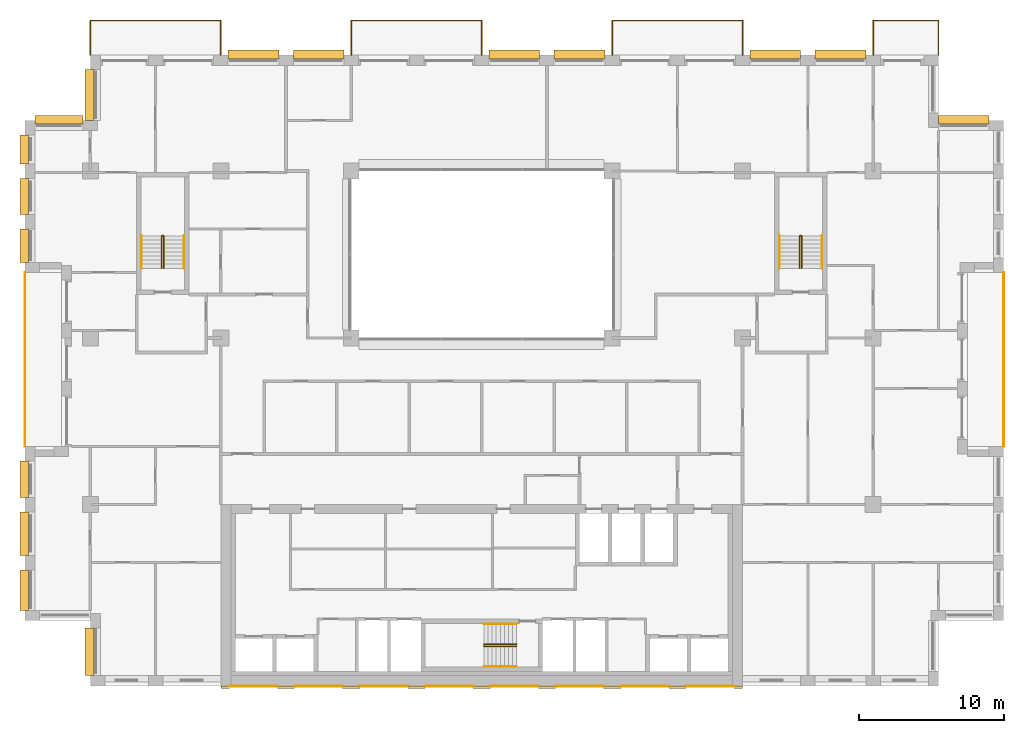
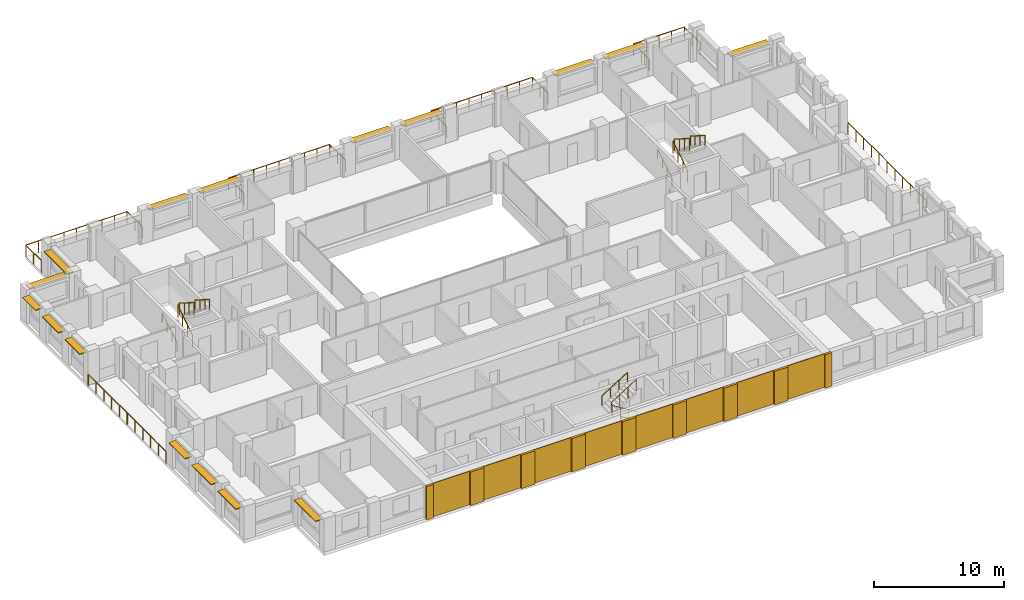
# One storey, part 16 of 16: 17 coverings, 16 shading devices, 15 railings.
"""IFC4 building model written with IfcOpenShell, lengths in metres."""

from ifc_helpers import new_model, si_unit, direction, frame, origin, origin_2d, place, context, subcontext, project, spatial, rectangle, circle, extrude, material, layer, layer_set, type_object, element, save


model = new_model("IFC4")

# Units and contexts
model_context = context("Model", 3, precision=1e-05, world=origin(), true_north=direction((0.0, 1.0)))
body_context = subcontext(model_context, "Body", "Model", "MODEL_VIEW")
ifc_project = project(units=[si_unit("LENGTHUNIT", "METRE"), si_unit("AREAUNIT", "SQUARE_METRE"), si_unit("VOLUMEUNIT", "CUBIC_METRE"), si_unit("PLANEANGLEUNIT", "RADIAN"), si_unit("MASSUNIT", "GRAM", prefix="KILO")], contexts=[model_context])

# Site, building, storey
site_placement = place(None, origin())
site = spatial("IfcSite", under=ifc_project, at=site_placement, CompositionType="ELEMENT")
building_placement = place(site_placement, origin())
building = spatial("IfcBuilding", under=site, at=building_placement, Name="Brigalow Station Residences", CompositionType="ELEMENT")
storey_placement = place(building_placement, frame((0.0, 0.0, 179.10009765625)))
storey = spatial("IfcBuildingStorey", under=building, at=storey_placement, Name="L52", CompositionType="ELEMENT", Elevation=179.10009765625)

# Railings
ifc_material_1 = material(Name="Stainless steel balustrade with laminated glass infill", Category="steel")
railing_type_1 = type_object("IfcRailingType", Name="BALCONY GUARD 1100", PredefinedType="GUARDRAIL", material=ifc_material_1)
railing_1_placement = place(storey_placement, frame((72.0, 16.5, -0.0400390625)))
element("IfcRailing", 1, at=railing_1_placement, inside=storey, type_object=railing_type_1, Name="L52/balcony-guard/1", PredefinedType="GUARDRAIL", context=body_context, shape_type="SweptSolid", body=[
    extrude(circle(Radius=0.02392578125, at=origin_2d()), frame((0.0, 0.0, 1.076171875), z_axis=(0.0, 1.0, 0.0), x_axis=(-1.0, 0.0, 0.0)), (0.0, 0.0, 1.0), 12.0),
    extrude(circle(Radius=0.02099609375, at=origin_2d()), origin(), (0.0, 0.0, 1.0), 1.052001953125),
    extrude(circle(Radius=0.02099609375, at=origin_2d()), frame((0.0, 1.199951171875, 0.0)), (0.0, 0.0, 1.0), 1.052001953125),
    extrude(circle(Radius=0.02099609375, at=origin_2d()), frame((0.0, 2.39990234375, 0.0)), (0.0, 0.0, 1.0), 1.052001953125),
    extrude(circle(Radius=0.02099609375, at=origin_2d()), frame((0.0, 3.60009765625, 0.0)), (0.0, 0.0, 1.0), 1.052001953125),
    extrude(circle(Radius=0.02099609375, at=origin_2d()), frame((0.0, 4.800048828125, 0.0)), (0.0, 0.0, 1.0), 1.052001953125),
    extrude(circle(Radius=0.02099609375, at=origin_2d()), frame((0.0, 6.0, 0.0)), (0.0, 0.0, 1.0), 1.052001953125),
    extrude(circle(Radius=0.02099609375, at=origin_2d()), frame((0.0, 7.199951171875, 0.0)), (0.0, 0.0, 1.0), 1.052001953125),
    extrude(circle(Radius=0.02099609375, at=origin_2d()), frame((0.0, 8.39990234375, 0.0)), (0.0, 0.0, 1.0), 1.052001953125),
    extrude(circle(Radius=0.02099609375, at=origin_2d()), frame((0.0, 9.60009765625, 0.0)), (0.0, 0.0, 1.0), 1.052001953125),
    extrude(circle(Radius=0.02099609375, at=origin_2d()), frame((0.0, 10.800048828125, 0.0)), (0.0, 0.0, 1.0), 1.052001953125),
    extrude(circle(Radius=0.02099609375, at=origin_2d()), frame((0.0, 12.0, 0.0)), (0.0, 0.0, 1.0), 1.052001953125),
])
railing_2_placement = place(storey_placement, frame((67.5, 43.5, -0.0400390625)))
element("IfcRailing", 2, at=railing_2_placement, inside=storey, type_object=railing_type_1, Name="L52/balcony-guard/2", PredefinedType="GUARDRAIL", context=body_context, shape_type="SweptSolid", body=[
    extrude(circle(Radius=0.02392578125, at=origin_2d()), frame((0.0, 0.0, 1.076171875), z_axis=(0.0, 1.0, 0.0), x_axis=(-1.0, 0.0, 0.0)), (0.0, 0.0, 1.0), 2.39990234375),
    extrude(circle(Radius=0.02392578125, at=origin_2d()), frame((0.0, 2.39990234375, 1.076171875), z_axis=(-1.0, 0.0, 0.0), x_axis=(0.0, -1.0, 0.0)), (0.0, 0.0, 1.0), 4.5),
    extrude(circle(Radius=0.02392578125, at=origin_2d()), frame((-4.5, 2.39990234375, 1.076171875), z_axis=(0.0, -1.0, 0.0), x_axis=(1.0, 0.0, 0.0)), (0.0, 0.0, 1.0), 2.39990234375),
    extrude(circle(Radius=0.02099609375, at=origin_2d()), origin(), (0.0, 0.0, 1.0), 1.052001953125),
    extrude(circle(Radius=0.02099609375, at=origin_2d()), frame((0.0, 1.199951171875, 0.0)), (0.0, 0.0, 1.0), 1.052001953125),
    extrude(circle(Radius=0.02099609375, at=origin_2d()), frame((0.0, 2.39990234375, 0.0)), (0.0, 0.0, 1.0), 1.052001953125),
    extrude(circle(Radius=0.02099609375, at=origin_2d()), frame((-1.125, 2.39990234375, 0.0)), (0.0, 0.0, 1.0), 1.052001953125),
    extrude(circle(Radius=0.02099609375, at=origin_2d()), frame((-2.25, 2.39990234375, 0.0)), (0.0, 0.0, 1.0), 1.052001953125),
    extrude(circle(Radius=0.02099609375, at=origin_2d()), frame((-3.375, 2.39990234375, 0.0)), (0.0, 0.0, 1.0), 1.052001953125),
    extrude(circle(Radius=0.02099609375, at=origin_2d()), frame((-4.5, 2.39990234375, 0.0)), (0.0, 0.0, 1.0), 1.052001953125),
    extrude(circle(Radius=0.02099609375, at=origin_2d()), frame((-4.5, 1.199951171875, 0.0)), (0.0, 0.0, 1.0), 1.052001953125),
    extrude(circle(Radius=0.02099609375, at=origin_2d()), frame((-4.5, 0.0, 0.0)), (0.0, 0.0, 1.0), 1.052001953125),
])
railing_3_placement = place(storey_placement, frame((54.0, 43.5, -0.0400390625)))
element("IfcRailing", 3, at=railing_3_placement, inside=storey, type_object=railing_type_1, Name="L52/balcony-guard/3", PredefinedType="GUARDRAIL", context=body_context, shape_type="SweptSolid", body=[
    extrude(circle(Radius=0.02392578125, at=origin_2d()), frame((0.0, 0.0, 1.076171875), z_axis=(0.0, 1.0, 0.0), x_axis=(-1.0, 0.0, 0.0)), (0.0, 0.0, 1.0), 2.39990234375),
    extrude(circle(Radius=0.02392578125, at=origin_2d()), frame((0.0, 2.39990234375, 1.076171875), z_axis=(-1.0, 0.0, 0.0), x_axis=(0.0, -1.0, 0.0)), (0.0, 0.0, 1.0), 9.0),
    extrude(circle(Radius=0.02392578125, at=origin_2d()), frame((-9.0, 2.39990234375, 1.076171875), z_axis=(0.0, -1.0, 0.0), x_axis=(1.0, 0.0, 0.0)), (0.0, 0.0, 1.0), 2.39990234375),
    extrude(circle(Radius=0.02099609375, at=origin_2d()), origin(), (0.0, 0.0, 1.0), 1.052001953125),
    extrude(circle(Radius=0.02099609375, at=origin_2d()), frame((0.0, 1.199951171875, 0.0)), (0.0, 0.0, 1.0), 1.052001953125),
    extrude(circle(Radius=0.02099609375, at=origin_2d()), frame((0.0, 2.39990234375, 0.0)), (0.0, 0.0, 1.0), 1.052001953125),
    extrude(circle(Radius=0.02099609375, at=origin_2d()), frame((-1.125, 2.39990234375, 0.0)), (0.0, 0.0, 1.0), 1.052001953125),
    extrude(circle(Radius=0.02099609375, at=origin_2d()), frame((-2.25, 2.39990234375, 0.0)), (0.0, 0.0, 1.0), 1.052001953125),
    extrude(circle(Radius=0.02099609375, at=origin_2d()), frame((-3.375, 2.39990234375, 0.0)), (0.0, 0.0, 1.0), 1.052001953125),
    extrude(circle(Radius=0.02099609375, at=origin_2d()), frame((-4.5, 2.39990234375, 0.0)), (0.0, 0.0, 1.0), 1.052001953125),
    extrude(circle(Radius=0.02099609375, at=origin_2d()), frame((-5.625, 2.39990234375, 0.0)), (0.0, 0.0, 1.0), 1.052001953125),
    extrude(circle(Radius=0.02099609375, at=origin_2d()), frame((-6.75, 2.39990234375, 0.0)), (0.0, 0.0, 1.0), 1.052001953125),
    extrude(circle(Radius=0.02099609375, at=origin_2d()), frame((-7.875, 2.39990234375, 0.0)), (0.0, 0.0, 1.0), 1.052001953125),
    extrude(circle(Radius=0.02099609375, at=origin_2d()), frame((-9.0, 2.39990234375, 0.0)), (0.0, 0.0, 1.0), 1.052001953125),
    extrude(circle(Radius=0.02099609375, at=origin_2d()), frame((-9.0, 1.199951171875, 0.0)), (0.0, 0.0, 1.0), 1.052001953125),
    extrude(circle(Radius=0.02099609375, at=origin_2d()), frame((-9.0, 0.0, 0.0)), (0.0, 0.0, 1.0), 1.052001953125),
])
railing_4_placement = place(storey_placement, frame((36.0, 43.5, -0.0400390625)))
element("IfcRailing", 4, at=railing_4_placement, inside=storey, type_object=railing_type_1, Name="L52/balcony-guard/4", PredefinedType="GUARDRAIL", context=body_context, shape_type="SweptSolid", body=[
    extrude(circle(Radius=0.02392578125, at=origin_2d()), frame((0.0, 0.0, 1.076171875), z_axis=(0.0, 1.0, 0.0), x_axis=(-1.0, 0.0, 0.0)), (0.0, 0.0, 1.0), 2.39990234375),
    extrude(circle(Radius=0.02392578125, at=origin_2d()), frame((0.0, 2.39990234375, 1.076171875), z_axis=(-1.0, 0.0, 0.0), x_axis=(0.0, -1.0, 0.0)), (0.0, 0.0, 1.0), 9.0),
    extrude(circle(Radius=0.02392578125, at=origin_2d()), frame((-9.0, 2.39990234375, 1.076171875), z_axis=(0.0, -1.0, 0.0), x_axis=(1.0, 0.0, 0.0)), (0.0, 0.0, 1.0), 2.39990234375),
    extrude(circle(Radius=0.02099609375, at=origin_2d()), origin(), (0.0, 0.0, 1.0), 1.052001953125),
    extrude(circle(Radius=0.02099609375, at=origin_2d()), frame((0.0, 1.199951171875, 0.0)), (0.0, 0.0, 1.0), 1.052001953125),
    extrude(circle(Radius=0.02099609375, at=origin_2d()), frame((0.0, 2.39990234375, 0.0)), (0.0, 0.0, 1.0), 1.052001953125),
    extrude(circle(Radius=0.02099609375, at=origin_2d()), frame((-1.125, 2.39990234375, 0.0)), (0.0, 0.0, 1.0), 1.052001953125),
    extrude(circle(Radius=0.02099609375, at=origin_2d()), frame((-2.25, 2.39990234375, 0.0)), (0.0, 0.0, 1.0), 1.052001953125),
    extrude(circle(Radius=0.02099609375, at=origin_2d()), frame((-3.375, 2.39990234375, 0.0)), (0.0, 0.0, 1.0), 1.052001953125),
    extrude(circle(Radius=0.02099609375, at=origin_2d()), frame((-4.5, 2.39990234375, 0.0)), (0.0, 0.0, 1.0), 1.052001953125),
    extrude(circle(Radius=0.02099609375, at=origin_2d()), frame((-5.625, 2.39990234375, 0.0)), (0.0, 0.0, 1.0), 1.052001953125),
    extrude(circle(Radius=0.02099609375, at=origin_2d()), frame((-6.75, 2.39990234375, 0.0)), (0.0, 0.0, 1.0), 1.052001953125),
    extrude(circle(Radius=0.02099609375, at=origin_2d()), frame((-7.875, 2.39990234375, 0.0)), (0.0, 0.0, 1.0), 1.052001953125),
    extrude(circle(Radius=0.02099609375, at=origin_2d()), frame((-9.0, 2.39990234375, 0.0)), (0.0, 0.0, 1.0), 1.052001953125),
    extrude(circle(Radius=0.02099609375, at=origin_2d()), frame((-9.0, 1.199951171875, 0.0)), (0.0, 0.0, 1.0), 1.052001953125),
    extrude(circle(Radius=0.02099609375, at=origin_2d()), frame((-9.0, 0.0, 0.0)), (0.0, 0.0, 1.0), 1.052001953125),
])
railing_5_placement = place(storey_placement, frame((18.0, 43.5, -0.0400390625)))
element("IfcRailing", 5, at=railing_5_placement, inside=storey, type_object=railing_type_1, Name="L52/balcony-guard/5", PredefinedType="GUARDRAIL", context=body_context, shape_type="SweptSolid", body=[
    extrude(circle(Radius=0.02392578125, at=origin_2d()), frame((0.0, 0.0, 1.076171875), z_axis=(0.0, 1.0, 0.0), x_axis=(-1.0, 0.0, 0.0)), (0.0, 0.0, 1.0), 2.39990234375),
    extrude(circle(Radius=0.02392578125, at=origin_2d()), frame((0.0, 2.39990234375, 1.076171875), z_axis=(-1.0, 0.0, 0.0), x_axis=(0.0, -1.0, 0.0)), (0.0, 0.0, 1.0), 9.0),
    extrude(circle(Radius=0.02392578125, at=origin_2d()), frame((-9.0, 2.39990234375, 1.076171875), z_axis=(0.0, -1.0, 0.0), x_axis=(1.0, 0.0, 0.0)), (0.0, 0.0, 1.0), 2.39990234375),
    extrude(circle(Radius=0.02099609375, at=origin_2d()), origin(), (0.0, 0.0, 1.0), 1.052001953125),
    extrude(circle(Radius=0.02099609375, at=origin_2d()), frame((0.0, 1.199951171875, 0.0)), (0.0, 0.0, 1.0), 1.052001953125),
    extrude(circle(Radius=0.02099609375, at=origin_2d()), frame((0.0, 2.39990234375, 0.0)), (0.0, 0.0, 1.0), 1.052001953125),
    extrude(circle(Radius=0.02099609375, at=origin_2d()), frame((-1.125, 2.39990234375, 0.0)), (0.0, 0.0, 1.0), 1.052001953125),
    extrude(circle(Radius=0.02099609375, at=origin_2d()), frame((-2.25, 2.39990234375, 0.0)), (0.0, 0.0, 1.0), 1.052001953125),
    extrude(circle(Radius=0.02099609375, at=origin_2d()), frame((-3.375, 2.39990234375, 0.0)), (0.0, 0.0, 1.0), 1.052001953125),
    extrude(circle(Radius=0.02099609375, at=origin_2d()), frame((-4.5, 2.39990234375, 0.0)), (0.0, 0.0, 1.0), 1.052001953125),
    extrude(circle(Radius=0.02099609375, at=origin_2d()), frame((-5.625, 2.39990234375, 0.0)), (0.0, 0.0, 1.0), 1.052001953125),
    extrude(circle(Radius=0.02099609375, at=origin_2d()), frame((-6.75, 2.39990234375, 0.0)), (0.0, 0.0, 1.0), 1.052001953125),
    extrude(circle(Radius=0.02099609375, at=origin_2d()), frame((-7.875, 2.39990234375, 0.0)), (0.0, 0.0, 1.0), 1.052001953125),
    extrude(circle(Radius=0.02099609375, at=origin_2d()), frame((-9.0, 2.39990234375, 0.0)), (0.0, 0.0, 1.0), 1.052001953125),
    extrude(circle(Radius=0.02099609375, at=origin_2d()), frame((-9.0, 1.199951171875, 0.0)), (0.0, 0.0, 1.0), 1.052001953125),
    extrude(circle(Radius=0.02099609375, at=origin_2d()), frame((-9.0, 0.0, 0.0)), (0.0, 0.0, 1.0), 1.052001953125),
])
railing_6_placement = place(storey_placement, frame((4.5, 28.5, -0.0400390625)))
element("IfcRailing", 6, at=railing_6_placement, inside=storey, type_object=railing_type_1, Name="L52/balcony-guard/6", PredefinedType="GUARDRAIL", context=body_context, shape_type="SweptSolid", body=[
    extrude(circle(Radius=0.02392578125, at=origin_2d()), frame((0.0, 0.0, 1.076171875), z_axis=(0.0, -1.0, 0.0), x_axis=(1.0, 0.0, 0.0)), (0.0, 0.0, 1.0), 12.0),
    extrude(circle(Radius=0.02099609375, at=origin_2d()), origin(), (0.0, 0.0, 1.0), 1.052001953125),
    extrude(circle(Radius=0.02099609375, at=origin_2d()), frame((0.0, -1.199951171875, 0.0)), (0.0, 0.0, 1.0), 1.052001953125),
    extrude(circle(Radius=0.02099609375, at=origin_2d()), frame((0.0, -2.39990234375, 0.0)), (0.0, 0.0, 1.0), 1.052001953125),
    extrude(circle(Radius=0.02099609375, at=origin_2d()), frame((0.0, -3.60009765625, 0.0)), (0.0, 0.0, 1.0), 1.052001953125),
    extrude(circle(Radius=0.02099609375, at=origin_2d()), frame((0.0, -4.800048828125, 0.0)), (0.0, 0.0, 1.0), 1.052001953125),
    extrude(circle(Radius=0.02099609375, at=origin_2d()), frame((0.0, -6.0, 0.0)), (0.0, 0.0, 1.0), 1.052001953125),
    extrude(circle(Radius=0.02099609375, at=origin_2d()), frame((0.0, -7.199951171875, 0.0)), (0.0, 0.0, 1.0), 1.052001953125),
    extrude(circle(Radius=0.02099609375, at=origin_2d()), frame((0.0, -8.39990234375, 0.0)), (0.0, 0.0, 1.0), 1.052001953125),
    extrude(circle(Radius=0.02099609375, at=origin_2d()), frame((0.0, -9.60009765625, 0.0)), (0.0, 0.0, 1.0), 1.052001953125),
    extrude(circle(Radius=0.02099609375, at=origin_2d()), frame((0.0, -10.800048828125, 0.0)), (0.0, 0.0, 1.0), 1.052001953125),
    extrude(circle(Radius=0.02099609375, at=origin_2d()), frame((0.0, -12.0, 0.0)), (0.0, 0.0, 1.0), 1.052001953125),
])

# Coverings
ifc_material_2 = material(Name="Clay brick masonry", Category="masonry")
ifc_layer_1 = layer(ifc_material_2, 0.06005859375)
ifc_layer_set_1 = layer_set([ifc_layer_1], Name="BRICK PANEL FACING 60")
covering_type_1 = type_object("IfcCoveringType", Name="BRICK PANEL FACING 60", PredefinedType="CLADDING", material=ifc_layer_set_1)
for number, where, z_axis, x_axis, name in (
    (7, (20.25, -0.030029296875, 0.0), (0.0, 0.0, 1.0), (1.0, 0.0, 0.0), "L52/rear-facing/panel-1"),
    (8, (24.75, -0.030029296875, 0.0), (0.0, 0.0, 1.0), (1.0, 0.0, 0.0), "L52/rear-facing/panel-2"),
    (9, (29.25, -0.030029296875, 0.0), (0.0, 0.0, 1.0), (1.0, 0.0, 0.0), "L52/rear-facing/panel-3"),
    (10, (33.75, -0.030029296875, 0.0), (0.0, 0.0, 1.0), (1.0, 0.0, 0.0), "L52/rear-facing/panel-4"),
    (11, (38.25, -0.030029296875, 0.0), (0.0, 0.0, 1.0), (1.0, 0.0, 0.0), "L52/rear-facing/panel-5"),
    (12, (42.75, -0.030029296875, 0.0), (0.0, 0.0, 1.0), (1.0, 0.0, 0.0), "L52/rear-facing/panel-6"),
    (13, (47.25, -0.030029296875, 0.0), (0.0, 0.0, 1.0), (1.0, 0.0, 0.0), "L52/rear-facing/panel-7"),
    (14, (51.75, -0.030029296875, 0.0), (0.0, 0.0, 1.0), (1.0, 0.0, 0.0), "L52/rear-facing/panel-8"),
):
    element("IfcCovering", number, at=place(storey_placement, frame(where, z_axis=z_axis, x_axis=x_axis)), inside=storey, type_object=covering_type_1, Name=name, PredefinedType="CLADDING", context=body_context, shape_type="SweptSolid", body=[
        extrude(rectangle(XDim=3.300048828125, YDim=0.06005859375, at=origin_2d()), origin(), (0.0, 0.0, 1.0), 3.14990234375),
    ])
ifc_material_3 = material(Name="Clay brick masonry", Category="masonry")
ifc_layer_2 = layer(ifc_material_3, 0.199951171875)
ifc_layer_set_2 = layer_set([ifc_layer_2], Name="BRICK PIER FACING 200")
covering_type_2 = type_object("IfcCoveringType", Name="BRICK PIER FACING 200", PredefinedType="CLADDING", material=ifc_layer_set_2)
covering_1_placement = place(storey_placement, frame((18.300048828125, -0.10009765625, 0.0), z_axis=(0.0, 0.0, 1.0), x_axis=(1.0, 0.0, 0.0)))
element("IfcCovering", 15, at=covering_1_placement, inside=storey, type_object=covering_type_2, Name="L52/rear-facing/pier-1", PredefinedType="CLADDING", context=body_context, shape_type="SweptSolid", body=[
    extrude(rectangle(XDim=0.60009765625, YDim=0.199951171875, at=origin_2d()), origin(), (0.0, 0.0, 1.0), 3.14990234375),
])
for number, where, z_axis, x_axis, name in (
    (16, (22.5, -0.10009765625, 0.0), (0.0, 0.0, 1.0), (1.0, 0.0, 0.0), "L52/rear-facing/pier-2"),
    (17, (27.0, -0.10009765625, 0.0), (0.0, 0.0, 1.0), (1.0, 0.0, 0.0), "L52/rear-facing/pier-3"),
    (18, (31.5, -0.10009765625, 0.0), (0.0, 0.0, 1.0), (1.0, 0.0, 0.0), "L52/rear-facing/pier-4"),
    (19, (36.0, -0.10009765625, 0.0), (0.0, 0.0, 1.0), (1.0, 0.0, 0.0), "L52/rear-facing/pier-5"),
    (20, (40.5, -0.10009765625, 0.0), (0.0, 0.0, 1.0), (1.0, 0.0, 0.0), "L52/rear-facing/pier-6"),
    (21, (45.0, -0.10009765625, 0.0), (0.0, 0.0, 1.0), (1.0, 0.0, 0.0), "L52/rear-facing/pier-7"),
    (22, (49.5, -0.10009765625, 0.0), (0.0, 0.0, 1.0), (1.0, 0.0, 0.0), "L52/rear-facing/pier-8"),
):
    element("IfcCovering", number, at=place(storey_placement, frame(where, z_axis=z_axis, x_axis=x_axis)), inside=storey, type_object=covering_type_2, Name=name, PredefinedType="CLADDING", context=body_context, shape_type="SweptSolid", body=[
        extrude(rectangle(XDim=1.199951171875, YDim=0.199951171875, at=origin_2d()), origin(), (0.0, 0.0, 1.0), 3.14990234375),
    ])
covering_2_placement = place(storey_placement, frame((53.699951171875, -0.10009765625, 0.0), z_axis=(0.0, 0.0, 1.0), x_axis=(1.0, 0.0, 0.0)))
element("IfcCovering", 23, at=covering_2_placement, inside=storey, type_object=covering_type_2, Name="L52/rear-facing/pier-9", PredefinedType="CLADDING", context=body_context, shape_type="SweptSolid", body=[
    extrude(rectangle(XDim=0.60009765625, YDim=0.199951171875, at=origin_2d()), origin(), (0.0, 0.0, 1.0), 3.14990234375),
])

# Railings
ifc_material_4 = material(Name="Stainless steel balustrade", Category="steel")
railing_type_2 = type_object("IfcRailingType", Name="STAIR GUARD 1100", PredefinedType="GUARDRAIL", material=ifc_material_4)
railing_7_placement = place(storey_placement, frame((38.39990234375, 2.72998046875, 0.1748046875)))
element("IfcRailing", 24, at=railing_7_placement, inside=storey, type_object=railing_type_2, Name="GUARD GR-2", PredefinedType="GUARDRAIL", context=body_context, shape_type="SweptSolid", body=[
    extrude(circle(Radius=0.02392578125, at=origin_2d()), frame((0.0, 0.0, 1.076171875), z_axis=(-0.847972341737, 0.0, 0.530040477369), x_axis=(0.0, -1.0, 0.0)), (0.0, 0.0, 1.0), 2.6416015625),
    extrude(circle(Radius=0.02392578125, at=origin_2d()), frame((-2.239990234375, 0.0, 2.47607421875), z_axis=(0.0, 0.624960567888, 0.780656319122), x_axis=(-1.0, 0.0, 0.0)), (0.0, 0.0, 1.0), 0.22412109375),
    extrude(circle(Radius=0.02392578125, at=origin_2d()), frame((-2.239990234375, 0.14013671875, 2.6513671875), z_axis=(0.848013881152, 0.0, 0.529974015752), x_axis=(0.0, 1.0, 0.0)), (0.0, 0.0, 1.0), 2.641357421875),
    extrude(circle(Radius=0.02099609375, at=origin_2d()), origin(), (0.0, 0.0, 1.0), 1.052001953125),
    extrude(circle(Radius=0.02099609375, at=origin_2d()), frame((-0.74658203125, 0.0, 0.466796875)), (0.0, 0.0, 1.0), 1.052001953125),
    extrude(circle(Radius=0.02099609375, at=origin_2d()), frame((-1.493408203125, 0.0, 0.933349609375)), (0.0, 0.0, 1.0), 1.052001953125),
    extrude(circle(Radius=0.02099609375, at=origin_2d()), frame((-2.239990234375, 0.0, 1.400146484375)), (0.0, 0.0, 1.0), 1.052001953125),
    extrude(circle(Radius=0.02099609375, at=origin_2d()), frame((-2.239990234375, 0.14013671875, 1.5751953125)), (0.0, 0.0, 1.0), 1.052001953125),
    extrude(circle(Radius=0.02099609375, at=origin_2d()), frame((-1.493408203125, 0.14013671875, 2.041748046875)), (0.0, 0.0, 1.0), 1.052001953125),
    extrude(circle(Radius=0.02099609375, at=origin_2d()), frame((-0.74658203125, 0.14013671875, 2.508544921875)), (0.0, 0.0, 1.0), 1.052001953125),
    extrude(circle(Radius=0.02099609375, at=origin_2d()), frame((0.0, 0.14013671875, 2.97509765625)), (0.0, 0.0, 1.0), 1.052001953125),
])
for number, where, name in (
    (25, (13.929931640625, 28.800048828125, 0.1748046875), "GUARD GR-1"),
    (26, (57.929931640625, 28.800048828125, 0.1748046875), "GUARD GR-3"),
):
    element("IfcRailing", number, at=place(storey_placement, frame(where)), inside=storey, type_object=railing_type_2, Name=name, PredefinedType="GUARDRAIL", context=body_context, shape_type="SweptSolid", body=[
        extrude(circle(Radius=0.02392578125, at=origin_2d()), frame((0.0, 0.0, 1.076171875), z_axis=(0.0, 0.847972341737, 0.530040477369), x_axis=(-1.0, 0.0, 0.0)), (0.0, 0.0, 1.0), 2.6416015625),
        extrude(circle(Radius=0.02392578125, at=origin_2d()), frame((0.0, 2.239990234375, 2.47607421875), z_axis=(0.624960567888, 0.0, 0.780656319122), x_axis=(0.0, 1.0, 0.0)), (0.0, 0.0, 1.0), 0.22412109375),
        extrude(circle(Radius=0.02392578125, at=origin_2d()), frame((0.14013671875, 2.239990234375, 2.6513671875), z_axis=(0.0, -0.848013881152, 0.529974015752), x_axis=(1.0, 0.0, 0.0)), (0.0, 0.0, 1.0), 2.641357421875),
        extrude(circle(Radius=0.02099609375, at=origin_2d()), origin(), (0.0, 0.0, 1.0), 1.052001953125),
        extrude(circle(Radius=0.02099609375, at=origin_2d()), frame((0.0, 0.74658203125, 0.466796875)), (0.0, 0.0, 1.0), 1.052001953125),
        extrude(circle(Radius=0.02099609375, at=origin_2d()), frame((0.0, 1.493408203125, 0.933349609375)), (0.0, 0.0, 1.0), 1.052001953125),
        extrude(circle(Radius=0.02099609375, at=origin_2d()), frame((0.0, 2.239990234375, 1.400146484375)), (0.0, 0.0, 1.0), 1.052001953125),
        extrude(circle(Radius=0.02099609375, at=origin_2d()), frame((0.14013671875, 2.239990234375, 1.5751953125)), (0.0, 0.0, 1.0), 1.052001953125),
        extrude(circle(Radius=0.02099609375, at=origin_2d()), frame((0.14013671875, 1.493408203125, 2.041748046875)), (0.0, 0.0, 1.0), 1.052001953125),
        extrude(circle(Radius=0.02099609375, at=origin_2d()), frame((0.14013671875, 0.74658203125, 2.508544921875)), (0.0, 0.0, 1.0), 1.052001953125),
        extrude(circle(Radius=0.02099609375, at=origin_2d()), frame((0.14013671875, 0.0, 2.97509765625)), (0.0, 0.0, 1.0), 1.052001953125),
    ])
ifc_material_5 = material(Name="Stainless steel handrail", Category="steel")
railing_type_3 = type_object("IfcRailingType", Name="STAIR HANDRAIL 900", PredefinedType="HANDRAIL", material=ifc_material_5)
railing_8_placement = place(storey_placement, frame((38.39990234375, 1.340087890625, 0.1748046875)))
element("IfcRailing", 27, at=railing_8_placement, inside=storey, type_object=railing_type_3, Name="HANDRAIL HR-21", PredefinedType="HANDRAIL", context=body_context, shape_type="SweptSolid", body=[
    extrude(circle(Radius=0.02392578125, at=origin_2d()), frame((0.0, 0.0, 0.8759765625), z_axis=(-0.847972341737, 0.0, 0.530040477369), x_axis=(0.0, -1.0, 0.0)), (0.0, 0.0, 1.0), 2.6416015625),
    extrude(circle(Radius=0.02099609375, at=origin_2d()), origin(), (0.0, 0.0, 1.0), 0.851806640625),
    extrude(circle(Radius=0.02099609375, at=origin_2d()), frame((-0.74658203125, 0.0, 0.466796875)), (0.0, 0.0, 1.0), 0.851806640625),
    extrude(circle(Radius=0.02099609375, at=origin_2d()), frame((-1.493408203125, 0.0, 0.933349609375)), (0.0, 0.0, 1.0), 0.851806640625),
    extrude(circle(Radius=0.02099609375, at=origin_2d()), frame((-2.239990234375, 0.0, 1.400146484375)), (0.0, 0.0, 1.0), 0.851806640625),
])
railing_9_placement = place(storey_placement, frame((36.159912109375, 4.260009765625, 1.75)))
element("IfcRailing", 28, at=railing_9_placement, inside=storey, type_object=railing_type_3, Name="HANDRAIL HR-22", PredefinedType="HANDRAIL", context=body_context, shape_type="SweptSolid", body=[
    extrude(circle(Radius=0.02392578125, at=origin_2d()), frame((0.0, 0.0, 0.8759765625), z_axis=(0.848013881152, 0.0, 0.529974015752), x_axis=(0.0, 1.0, 0.0)), (0.0, 0.0, 1.0), 2.641357421875),
    extrude(circle(Radius=0.02099609375, at=origin_2d()), origin(), (0.0, 0.0, 1.0), 0.851806640625),
    extrude(circle(Radius=0.02099609375, at=origin_2d()), frame((0.74658203125, 0.0, 0.466552734375)), (0.0, 0.0, 1.0), 0.851806640625),
    extrude(circle(Radius=0.02099609375, at=origin_2d()), frame((1.493408203125, 0.0, 0.933349609375)), (0.0, 0.0, 1.0), 0.851806640625),
    extrude(circle(Radius=0.02099609375, at=origin_2d()), frame((2.239990234375, 0.0, 1.39990234375)), (0.0, 0.0, 1.0), 0.851806640625),
])
railing_10_placement = place(storey_placement, frame((12.5400390625, 28.800048828125, 0.1748046875)))
element("IfcRailing", 29, at=railing_10_placement, inside=storey, type_object=railing_type_3, Name="HANDRAIL HR-11", PredefinedType="HANDRAIL", context=body_context, shape_type="SweptSolid", body=[
    extrude(circle(Radius=0.02392578125, at=origin_2d()), frame((0.0, 0.0, 0.8759765625), z_axis=(0.0, 0.847972341737, 0.530040477369), x_axis=(-1.0, 0.0, 0.0)), (0.0, 0.0, 1.0), 2.6416015625),
    extrude(circle(Radius=0.02099609375, at=origin_2d()), origin(), (0.0, 0.0, 1.0), 0.851806640625),
    extrude(circle(Radius=0.02099609375, at=origin_2d()), frame((0.0, 0.74658203125, 0.466796875)), (0.0, 0.0, 1.0), 0.851806640625),
    extrude(circle(Radius=0.02099609375, at=origin_2d()), frame((0.0, 1.493408203125, 0.933349609375)), (0.0, 0.0, 1.0), 0.851806640625),
    extrude(circle(Radius=0.02099609375, at=origin_2d()), frame((0.0, 2.239990234375, 1.400146484375)), (0.0, 0.0, 1.0), 0.851806640625),
])
railing_11_placement = place(storey_placement, frame((15.4599609375, 31.0400390625, 1.75)))
element("IfcRailing", 30, at=railing_11_placement, inside=storey, type_object=railing_type_3, Name="HANDRAIL HR-12", PredefinedType="HANDRAIL", context=body_context, shape_type="SweptSolid", body=[
    extrude(circle(Radius=0.02392578125, at=origin_2d()), frame((0.0, 0.0, 0.8759765625), z_axis=(0.0, -0.848013881152, 0.529974015752), x_axis=(1.0, 0.0, 0.0)), (0.0, 0.0, 1.0), 2.641357421875),
    extrude(circle(Radius=0.02099609375, at=origin_2d()), origin(), (0.0, 0.0, 1.0), 0.851806640625),
    extrude(circle(Radius=0.02099609375, at=origin_2d()), frame((0.0, -0.74658203125, 0.466552734375)), (0.0, 0.0, 1.0), 0.851806640625),
    extrude(circle(Radius=0.02099609375, at=origin_2d()), frame((0.0, -1.493408203125, 0.933349609375)), (0.0, 0.0, 1.0), 0.851806640625),
    extrude(circle(Radius=0.02099609375, at=origin_2d()), frame((0.0, -2.239990234375, 1.39990234375)), (0.0, 0.0, 1.0), 0.851806640625),
])
railing_12_placement = place(storey_placement, frame((56.5400390625, 28.800048828125, 0.1748046875)))
element("IfcRailing", 31, at=railing_12_placement, inside=storey, type_object=railing_type_3, Name="HANDRAIL HR-31", PredefinedType="HANDRAIL", context=body_context, shape_type="SweptSolid", body=[
    extrude(circle(Radius=0.02392578125, at=origin_2d()), frame((0.0, 0.0, 0.8759765625), z_axis=(0.0, 0.847972341737, 0.530040477369), x_axis=(-1.0, 0.0, 0.0)), (0.0, 0.0, 1.0), 2.6416015625),
    extrude(circle(Radius=0.02099609375, at=origin_2d()), origin(), (0.0, 0.0, 1.0), 0.851806640625),
    extrude(circle(Radius=0.02099609375, at=origin_2d()), frame((0.0, 0.74658203125, 0.466796875)), (0.0, 0.0, 1.0), 0.851806640625),
    extrude(circle(Radius=0.02099609375, at=origin_2d()), frame((0.0, 1.493408203125, 0.933349609375)), (0.0, 0.0, 1.0), 0.851806640625),
    extrude(circle(Radius=0.02099609375, at=origin_2d()), frame((0.0, 2.239990234375, 1.400146484375)), (0.0, 0.0, 1.0), 0.851806640625),
])
railing_13_placement = place(storey_placement, frame((59.4599609375, 31.0400390625, 1.75)))
element("IfcRailing", 32, at=railing_13_placement, inside=storey, type_object=railing_type_3, Name="HANDRAIL HR-32", PredefinedType="HANDRAIL", context=body_context, shape_type="SweptSolid", body=[
    extrude(circle(Radius=0.02392578125, at=origin_2d()), frame((0.0, 0.0, 0.8759765625), z_axis=(0.0, -0.848013881152, 0.529974015752), x_axis=(1.0, 0.0, 0.0)), (0.0, 0.0, 1.0), 2.641357421875),
    extrude(circle(Radius=0.02099609375, at=origin_2d()), origin(), (0.0, 0.0, 1.0), 0.851806640625),
    extrude(circle(Radius=0.02099609375, at=origin_2d()), frame((0.0, -0.74658203125, 0.466552734375)), (0.0, 0.0, 1.0), 0.851806640625),
    extrude(circle(Radius=0.02099609375, at=origin_2d()), frame((0.0, -1.493408203125, 0.933349609375)), (0.0, 0.0, 1.0), 0.851806640625),
    extrude(circle(Radius=0.02099609375, at=origin_2d()), frame((0.0, -2.239990234375, 1.39990234375)), (0.0, 0.0, 1.0), 0.851806640625),
])

# Shading devices
ifc_material_6 = material(Name="Powder-coated extruded aluminium blade", Category="aluminium")
ifc_layer_3 = layer(ifc_material_6, 0.080078125)
ifc_layer_set_3 = layer_set([ifc_layer_3], Name="SUNSHADE BLADE 600x80")
shading_device_type = type_object("IfcShadingDeviceType", Name="SUNSHADE BLADE 600x80", PredefinedType="JALOUSIE", material=ifc_layer_set_3)
for number, where, z_axis, x_axis, name in (
    (33, (69.25, 39.050048828125, 2.5498046875), (0.0, 0.0, 1.0), (-1.0, 0.0, 0.0), "L52/blade/W-L52-20"),
    (34, (60.75, 43.550048828125, 2.5498046875), (0.0, 0.0, 1.0), (-1.0, 0.0, 0.0), "L52/blade/W-L52-23"),
    (35, (56.25, 43.550048828125, 2.5498046875), (0.0, 0.0, 1.0), (-1.0, 0.0, 0.0), "L52/blade/W-L52-24"),
    (36, (42.75, 43.550048828125, 2.5498046875), (0.0, 0.0, 1.0), (-1.0, 0.0, 0.0), "L52/blade/W-L52-27"),
    (37, (38.25, 43.550048828125, 2.5498046875), (0.0, 0.0, 1.0), (-1.0, 0.0, 0.0), "L52/blade/W-L52-28"),
    (38, (24.75, 43.550048828125, 2.5498046875), (0.0, 0.0, 1.0), (-1.0, 0.0, 0.0), "L52/blade/W-L52-31"),
    (39, (20.25, 43.550048828125, 2.5498046875), (0.0, 0.0, 1.0), (-1.0, 0.0, 0.0), "L52/blade/W-L52-32"),
    (40, (8.949951171875, 40.75, 2.5498046875), (0.0, 0.0, 1.0), (0.0, -1.0, 0.0), "L52/blade/W-L52-35"),
):
    element("IfcShadingDevice", number, at=place(storey_placement, frame(where, z_axis=z_axis, x_axis=x_axis)), inside=storey, type_object=shading_device_type, Name=name, PredefinedType="JALOUSIE", context=body_context, shape_type="SweptSolid", body=[
        extrude(rectangle(XDim=3.5, YDim=0.60009765625, at=origin_2d()), origin(), (0.0, 0.0, 1.0), 0.080078125),
    ])
shading_device_1_placement = place(storey_placement, frame((6.85009765625, 39.050048828125, 2.5498046875), z_axis=(0.0, 0.0, 1.0), x_axis=(-1.0, 0.0, 0.0)))
element("IfcShadingDevice", 41, at=shading_device_1_placement, inside=storey, type_object=shading_device_type, Name="L52/blade/W-L52-36", PredefinedType="JALOUSIE", context=body_context, shape_type="SweptSolid", body=[
    extrude(rectangle(XDim=3.300048828125, YDim=0.60009765625, at=origin_2d()), origin(), (0.0, 0.0, 1.0), 0.080078125),
])
shading_device_2_placement = place(storey_placement, frame((4.449951171875, 37.0, 2.5498046875), z_axis=(0.0, 0.0, 1.0), x_axis=(0.0, -1.0, 0.0)))
element("IfcShadingDevice", 42, at=shading_device_2_placement, inside=storey, type_object=shading_device_type, Name="L52/blade/W-L52-37", PredefinedType="JALOUSIE", context=body_context, shape_type="SweptSolid", body=[
    extrude(rectangle(XDim=2.0, YDim=0.60009765625, at=origin_2d()), origin(), (0.0, 0.0, 1.0), 0.080078125),
])
shading_device_3_placement = place(storey_placement, frame((4.449951171875, 33.75, 2.5498046875), z_axis=(0.0, 0.0, 1.0), x_axis=(0.0, -1.0, 0.0)))
element("IfcShadingDevice", 43, at=shading_device_3_placement, inside=storey, type_object=shading_device_type, Name="L52/blade/W-L52-38", PredefinedType="JALOUSIE", context=body_context, shape_type="SweptSolid", body=[
    extrude(rectangle(XDim=2.5, YDim=0.60009765625, at=origin_2d()), origin(), (0.0, 0.0, 1.0), 0.080078125),
])
shading_device_4_placement = place(storey_placement, frame((4.449951171875, 30.35009765625, 2.5498046875), z_axis=(0.0, 0.0, 1.0), x_axis=(0.0, -1.0, 0.0)))
element("IfcShadingDevice", 44, at=shading_device_4_placement, inside=storey, type_object=shading_device_type, Name="L52/blade/W-L52-39", PredefinedType="JALOUSIE", context=body_context, shape_type="SweptSolid", body=[
    extrude(rectangle(XDim=2.300048828125, YDim=0.60009765625, at=origin_2d()), origin(), (0.0, 0.0, 1.0), 0.080078125),
])
shading_device_5_placement = place(storey_placement, frame((4.449951171875, 14.25, 2.5498046875), z_axis=(0.0, 0.0, 1.0), x_axis=(0.0, -1.0, 0.0)))
element("IfcShadingDevice", 45, at=shading_device_5_placement, inside=storey, type_object=shading_device_type, Name="L52/blade/W-L52-45", PredefinedType="JALOUSIE", context=body_context, shape_type="SweptSolid", body=[
    extrude(rectangle(XDim=2.5, YDim=0.60009765625, at=origin_2d()), origin(), (0.0, 0.0, 1.0), 0.080078125),
])
shading_device_6_placement = place(storey_placement, frame((4.449951171875, 10.5, 2.5498046875), z_axis=(0.0, 0.0, 1.0), x_axis=(0.0, -1.0, 0.0)))
element("IfcShadingDevice", 46, at=shading_device_6_placement, inside=storey, type_object=shading_device_type, Name="L52/blade/W-L52-46", PredefinedType="JALOUSIE", context=body_context, shape_type="SweptSolid", body=[
    extrude(rectangle(XDim=3.0, YDim=0.60009765625, at=origin_2d()), origin(), (0.0, 0.0, 1.0), 0.080078125),
])
shading_device_7_placement = place(storey_placement, frame((4.449951171875, 6.60009765625, 2.5498046875), z_axis=(0.0, 0.0, 1.0), x_axis=(0.0, -1.0, 0.0)))
element("IfcShadingDevice", 47, at=shading_device_7_placement, inside=storey, type_object=shading_device_type, Name="L52/blade/W-L52-47", PredefinedType="JALOUSIE", context=body_context, shape_type="SweptSolid", body=[
    extrude(rectangle(XDim=2.800048828125, YDim=0.60009765625, at=origin_2d()), origin(), (0.0, 0.0, 1.0), 0.080078125),
])
shading_device_8_placement = place(storey_placement, frame((8.949951171875, 2.35009765625, 2.5498046875), z_axis=(0.0, 0.0, 1.0), x_axis=(0.0, -1.0, 0.0)))
element("IfcShadingDevice", 48, at=shading_device_8_placement, inside=storey, type_object=shading_device_type, Name="L52/blade/W-L52-49", PredefinedType="JALOUSIE", context=body_context, shape_type="SweptSolid", body=[
    extrude(rectangle(XDim=3.300048828125, YDim=0.60009765625, at=origin_2d()), origin(), (0.0, 0.0, 1.0), 0.080078125),
])

save(model, "model.ifc")
